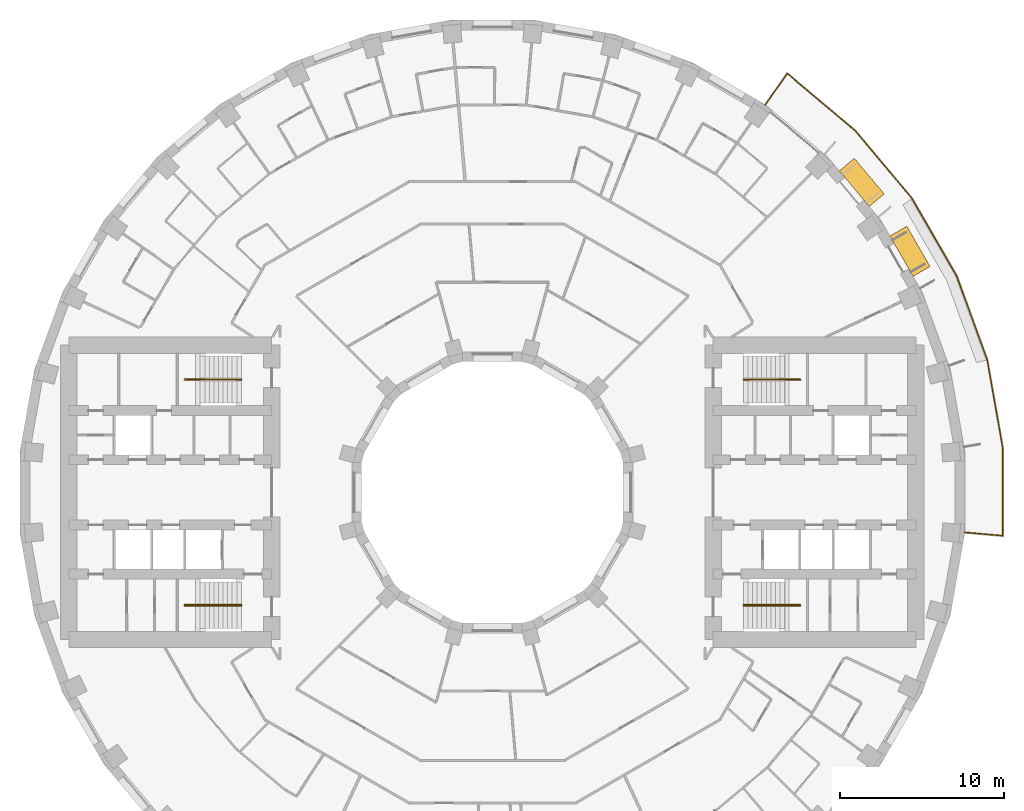
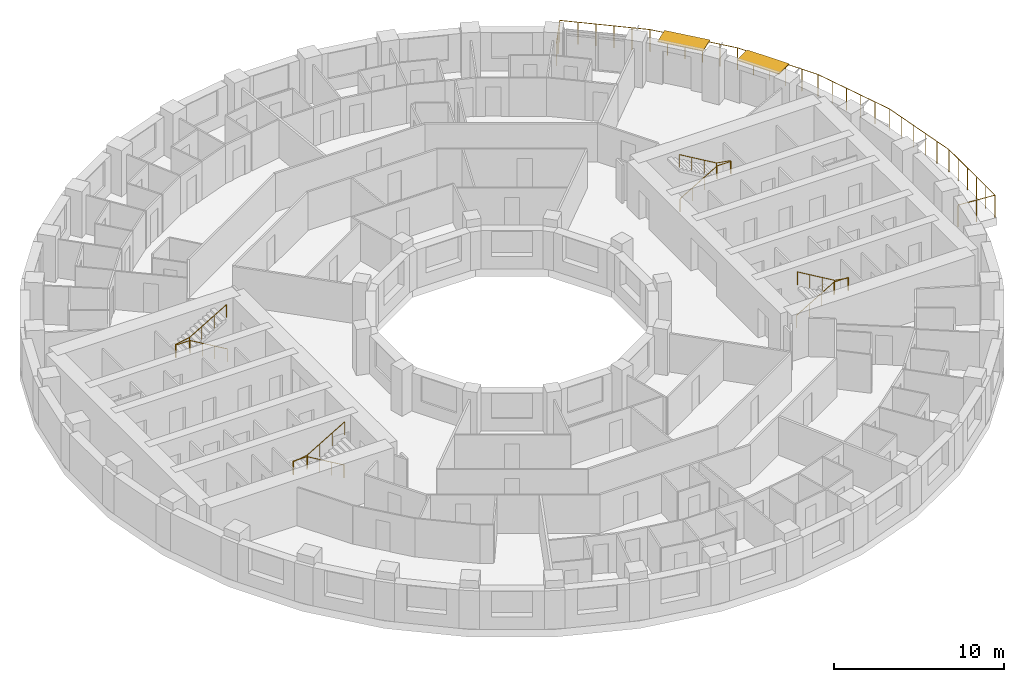
# One storey, part 15 of 15: 5 railings, 2 shading devices.
"""IFC4 building model written with IfcOpenShell, lengths in metres."""

from ifc_helpers import new_model, si_unit, direction, frame, origin, origin_2d, place, context, subcontext, project, spatial, rectangle, circle, extrude, material, layer, layer_set, type_object, element, save


model = new_model("IFC4")

# Units and contexts
model_context = context("Model", 3, precision=1e-05, world=origin(), true_north=direction((0.0, 1.0)))
body_context = subcontext(model_context, "Body", "Model", "MODEL_VIEW")
ifc_project = project(units=[si_unit("LENGTHUNIT", "METRE"), si_unit("AREAUNIT", "SQUARE_METRE"), si_unit("VOLUMEUNIT", "CUBIC_METRE"), si_unit("PLANEANGLEUNIT", "RADIAN"), si_unit("MASSUNIT", "GRAM", prefix="KILO")], contexts=[model_context])

# Site, building, storey
site_placement = place(None, origin())
site = spatial("IfcSite", under=ifc_project, at=site_placement, CompositionType="ELEMENT")
building_placement = place(site_placement, origin())
building = spatial("IfcBuilding", under=site, at=building_placement, Name="Saqina Gate Tower", CompositionType="ELEMENT")
storey_placement = place(building_placement, frame((0.0, 0.0, 59.300048828125)))
storey = spatial("IfcBuildingStorey", under=building, at=storey_placement, Name="L16", CompositionType="ELEMENT", Elevation=59.300048828125)

# Shading devices
ifc_material_1 = material(Name="Aluminium and fabric awning", Category="aluminium")
ifc_layer = layer(ifc_material_1, 0.050048828125)
ifc_layer_set = layer_set([ifc_layer], Name="AW-TERRACE")
shading_device_type = type_object("IfcShadingDeviceType", Name="AW-TERRACE", PredefinedType="AWNING", material=ifc_layer_set)
for number, where, z_axis, x_axis, name in (
    (1, (25.538818359375, 14.744873046875, 2.52490234375), (0.0, 0.0, 1.0), (-0.5, 0.866025403784, 0.0), "Terrace awning L16 facet 3"),
    (2, (22.59033203125, 18.95556640625, 2.52490234375), (0.0, 0.0, 1.0), (-0.642787609687, 0.766044443119, 0.0), "Terrace awning L16 facet 4"),
):
    element("IfcShadingDevice", number, at=place(storey_placement, frame(where, z_axis=z_axis, x_axis=x_axis)), inside=storey, type_object=shading_device_type, Name=name, PredefinedType="AWNING", context=body_context, shape_type="SweptSolid", body=[
        extrude(rectangle(XDim=2.845703125, YDim=1.199951171875, at=origin_2d()), origin(), (0.0, 0.0, 1.0), 0.050048828125),
    ])

# Railings
ifc_material_2 = material(Name="Stainless steel", Category="steel")
railing_type_1 = type_object("IfcRailingType", Name="RL-TERRACE", PredefinedType="GUARDRAIL", material=ifc_material_2)
railing_1_placement = place(storey_placement, frame((28.8369140625, -2.442626953125, 0.0)))
element("IfcRailing", 3, at=railing_1_placement, inside=storey, type_object=railing_type_1, Name="Terrace guard L16", PredefinedType="GUARDRAIL", context=body_context, shape_type="SweptSolid", body=[
    extrude(circle(Radius=0.02392578125, at=origin_2d()), frame((0.0, 0.0, 1.576171875), z_axis=(0.996192497087, -0.087180896688, 0.0), x_axis=(0.087180896688, 0.996192497087, 0.0)), (0.0, 0.0, 1.0), 2.388671875),
    extrude(circle(Radius=0.02392578125, at=origin_2d()), frame((2.379638671875, -0.208251953125, 1.576171875), z_axis=(-0.001270301126, 0.999999193167, 0.0), x_axis=(-0.999999193167, -0.001270301126, 0.0)), (0.0, 0.0, 1.0), 5.38134765625),
    extrude(circle(Radius=0.02392578125, at=origin_2d()), frame((2.372802734375, 5.173095703125, 1.576171875), z_axis=(-0.17364250929, 0.984808752483, 0.0), x_axis=(-0.984808752483, -0.17364250929, 0.0)), (0.0, 0.0, 1.0), 5.4609375),
    extrude(circle(Radius=0.02392578125, at=origin_2d()), frame((1.424560546875, 10.551025390625, 1.576171875), z_axis=(-0.342048157644, 0.939682423935, 0.0), x_axis=(-0.939682423935, -0.342048157644, 0.0)), (0.0, 0.0, 1.0), 5.4609375),
    extrude(circle(Radius=0.02392578125, at=origin_2d()), frame((-0.443359375, 15.6826171875, 1.576171875), z_axis=(-0.499985602051, 0.866033716285, 0.0), x_axis=(-0.866033716285, -0.499985602051, 0.0)), (0.0, 0.0, 1.0), 5.461181640625),
    extrude(circle(Radius=0.02392578125, at=origin_2d()), frame((-3.173828125, 20.412109375, 1.576171875), z_axis=(-0.642788339532, 0.766043830705, 0.0), x_axis=(-0.766043830705, -0.642788339532, 0.0)), (0.0, 0.0, 1.0), 5.4609375),
    extrude(circle(Radius=0.02392578125, at=origin_2d()), frame((-6.68408203125, 24.595458984375, 1.576171875), z_axis=(-0.76521934714, 0.643769641069, 0.0), x_axis=(-0.643769641069, -0.76521934714, 0.0)), (0.0, 0.0, 1.0), 5.38134765625),
    extrude(circle(Radius=0.02392578125, at=origin_2d()), frame((-10.802001953125, 28.059814453125, 1.576171875), z_axis=(-0.573565229124, -0.819159891559, 0.0), x_axis=(0.819159891559, -0.573565229124, 0.0)), (0.0, 0.0, 1.0), 2.388671875),
    extrude(circle(Radius=0.02099609375, at=origin_2d()), origin(), (0.0, 0.0, 1.0), 1.552001953125),
    extrude(circle(Radius=0.02099609375, at=origin_2d()), frame((1.18994140625, -0.10400390625, 0.0)), (0.0, 0.0, 1.0), 1.552001953125),
    extrude(circle(Radius=0.02099609375, at=origin_2d()), frame((2.379638671875, -0.208251953125, 0.0)), (0.0, 0.0, 1.0), 1.552001953125),
    extrude(circle(Radius=0.02099609375, at=origin_2d()), frame((2.378173828125, 0.867919921875, 0.0)), (0.0, 0.0, 1.0), 1.552001953125),
    extrude(circle(Radius=0.02099609375, at=origin_2d()), frame((2.376953125, 1.9443359375, 0.0)), (0.0, 0.0, 1.0), 1.552001953125),
    extrude(circle(Radius=0.02099609375, at=origin_2d()), frame((2.37548828125, 3.0205078125, 0.0)), (0.0, 0.0, 1.0), 1.552001953125),
    extrude(circle(Radius=0.02099609375, at=origin_2d()), frame((2.374267578125, 4.096923828125, 0.0)), (0.0, 0.0, 1.0), 1.552001953125),
    extrude(circle(Radius=0.02099609375, at=origin_2d()), frame((2.372802734375, 5.173095703125, 0.0)), (0.0, 0.0, 1.0), 1.552001953125),
    extrude(circle(Radius=0.02099609375, at=origin_2d()), frame((2.18310546875, 6.248779296875, 0.0)), (0.0, 0.0, 1.0), 1.552001953125),
    extrude(circle(Radius=0.02099609375, at=origin_2d()), frame((1.993408203125, 7.32421875, 0.0)), (0.0, 0.0, 1.0), 1.552001953125),
    extrude(circle(Radius=0.02099609375, at=origin_2d()), frame((1.803955078125, 8.39990234375, 0.0)), (0.0, 0.0, 1.0), 1.552001953125),
    extrude(circle(Radius=0.02099609375, at=origin_2d()), frame((1.6142578125, 9.475341796875, 0.0)), (0.0, 0.0, 1.0), 1.552001953125),
    extrude(circle(Radius=0.02099609375, at=origin_2d()), frame((1.424560546875, 10.551025390625, 0.0)), (0.0, 0.0, 1.0), 1.552001953125),
    extrude(circle(Radius=0.02099609375, at=origin_2d()), frame((1.051025390625, 11.577392578125, 0.0)), (0.0, 0.0, 1.0), 1.552001953125),
    extrude(circle(Radius=0.02099609375, at=origin_2d()), frame((0.677490234375, 12.603759765625, 0.0)), (0.0, 0.0, 1.0), 1.552001953125),
    extrude(circle(Radius=0.02099609375, at=origin_2d()), frame((0.3037109375, 13.6298828125, 0.0)), (0.0, 0.0, 1.0), 1.552001953125),
    extrude(circle(Radius=0.02099609375, at=origin_2d()), frame((-0.06982421875, 14.65625, 0.0)), (0.0, 0.0, 1.0), 1.552001953125),
    extrude(circle(Radius=0.02099609375, at=origin_2d()), frame((-0.443359375, 15.6826171875, 0.0)), (0.0, 0.0, 1.0), 1.552001953125),
    extrude(circle(Radius=0.02099609375, at=origin_2d()), frame((-0.989501953125, 16.62841796875, 0.0)), (0.0, 0.0, 1.0), 1.552001953125),
    extrude(circle(Radius=0.02099609375, at=origin_2d()), frame((-1.53564453125, 17.574462890625, 0.0)), (0.0, 0.0, 1.0), 1.552001953125),
    extrude(circle(Radius=0.02099609375, at=origin_2d()), frame((-2.08154296875, 18.520263671875, 0.0)), (0.0, 0.0, 1.0), 1.552001953125),
    extrude(circle(Radius=0.02099609375, at=origin_2d()), frame((-2.627685546875, 19.46630859375, 0.0)), (0.0, 0.0, 1.0), 1.552001953125),
    extrude(circle(Radius=0.02099609375, at=origin_2d()), frame((-3.173828125, 20.412109375, 0.0)), (0.0, 0.0, 1.0), 1.552001953125),
    extrude(circle(Radius=0.02099609375, at=origin_2d()), frame((-3.8759765625, 21.248779296875, 0.0)), (0.0, 0.0, 1.0), 1.552001953125),
    extrude(circle(Radius=0.02099609375, at=origin_2d()), frame((-4.577880859375, 22.08544921875, 0.0)), (0.0, 0.0, 1.0), 1.552001953125),
    extrude(circle(Radius=0.02099609375, at=origin_2d()), frame((-5.280029296875, 22.922119140625, 0.0)), (0.0, 0.0, 1.0), 1.552001953125),
    extrude(circle(Radius=0.02099609375, at=origin_2d()), frame((-5.98193359375, 23.7587890625, 0.0)), (0.0, 0.0, 1.0), 1.552001953125),
    extrude(circle(Radius=0.02099609375, at=origin_2d()), frame((-6.68408203125, 24.595458984375, 0.0)), (0.0, 0.0, 1.0), 1.552001953125),
    extrude(circle(Radius=0.02099609375, at=origin_2d()), frame((-7.507568359375, 25.288330078125, 0.0)), (0.0, 0.0, 1.0), 1.552001953125),
    extrude(circle(Radius=0.02099609375, at=origin_2d()), frame((-8.331298828125, 25.981201171875, 0.0)), (0.0, 0.0, 1.0), 1.552001953125),
    extrude(circle(Radius=0.02099609375, at=origin_2d()), frame((-9.15478515625, 26.674072265625, 0.0)), (0.0, 0.0, 1.0), 1.552001953125),
    extrude(circle(Radius=0.02099609375, at=origin_2d()), frame((-9.978515625, 27.366943359375, 0.0)), (0.0, 0.0, 1.0), 1.552001953125),
    extrude(circle(Radius=0.02099609375, at=origin_2d()), frame((-10.802001953125, 28.059814453125, 0.0)), (0.0, 0.0, 1.0), 1.552001953125),
    extrude(circle(Radius=0.02099609375, at=origin_2d()), frame((-11.487060546875, 27.08154296875, 0.0)), (0.0, 0.0, 1.0), 1.552001953125),
    extrude(circle(Radius=0.02099609375, at=origin_2d()), frame((-12.172119140625, 26.10302734375, 0.0)), (0.0, 0.0, 1.0), 1.552001953125),
])
ifc_material_3 = material(Name="Stainless steel", Category="steel")
railing_type_2 = type_object("IfcRailingType", Name="STAIR HANDRAIL", PredefinedType="HANDRAIL", material=ifc_material_3)
railing_2_placement = place(storey_placement, frame((15.35009765625, 6.86669921875, 0.1650390625)))
element("IfcRailing", 4, at=railing_2_placement, inside=storey, type_object=railing_type_2, Name="EXIT STAIR 1 HANDRAIL", PredefinedType="HANDRAIL", context=body_context, shape_type="SweptSolid", body=[
    extrude(circle(Radius=0.02392578125, at=origin_2d()), frame((0.0, 0.0, 0.92578125), z_axis=(0.861560626758, 0.0, 0.507654692109), x_axis=(0.0, 1.0, 0.0)), (0.0, 0.0, 1.0), 2.925048828125),
    extrude(circle(Radius=0.02392578125, at=origin_2d()), frame((2.52001953125, 0.0, 2.41064453125), z_axis=(1.0, 0.0, 0.0), x_axis=(0.0, 1.0, 0.0)), (0.0, 0.0, 1.0), 0.949951171875),
    extrude(circle(Radius=0.02392578125, at=origin_2d()), frame((3.469970703125, 0.0, 2.41064453125), z_axis=(0.0, 1.0, 0.0), x_axis=(-1.0, 0.0, 0.0)), (0.0, 0.0, 1.0), 0.066650390625),
    extrude(circle(Radius=0.02392578125, at=origin_2d()), frame((3.469970703125, 0.066650390625, 2.41064453125), z_axis=(-0.985241474778, 0.0, 0.171170197109), x_axis=(0.0, -1.0, 0.0)), (0.0, 0.0, 1.0), 0.964111328125),
    extrude(circle(Radius=0.02392578125, at=origin_2d()), frame((2.52001953125, 0.066650390625, 2.57568359375), z_axis=(-0.86152411907, 0.0, 0.507716645641), x_axis=(0.0, -1.0, 0.0)), (0.0, 0.0, 1.0), 2.925048828125),
    extrude(circle(Radius=0.02099609375, at=origin_2d()), origin(), (0.0, 0.0, 1.0), 0.90185546875),
    extrude(circle(Radius=0.02099609375, at=origin_2d()), frame((0.840087890625, 0.0, 0.494873046875)), (0.0, 0.0, 1.0), 0.90185546875),
    extrude(circle(Radius=0.02099609375, at=origin_2d()), frame((1.679931640625, 0.0, 0.989990234375)), (0.0, 0.0, 1.0), 0.90185546875),
    extrude(circle(Radius=0.02099609375, at=origin_2d()), frame((2.52001953125, 0.0, 1.48486328125)), (0.0, 0.0, 1.0), 0.90185546875),
    extrude(circle(Radius=0.02099609375, at=origin_2d()), frame((3.469970703125, 0.0, 1.48486328125)), (0.0, 0.0, 1.0), 0.90185546875),
    extrude(circle(Radius=0.02099609375, at=origin_2d()), frame((3.469970703125, 0.066650390625, 1.48486328125)), (0.0, 0.0, 1.0), 0.90185546875),
    extrude(circle(Radius=0.02099609375, at=origin_2d()), frame((2.52001953125, 0.066650390625, 1.64990234375)), (0.0, 0.0, 1.0), 0.90185546875),
    extrude(circle(Radius=0.02099609375, at=origin_2d()), frame((1.679931640625, 0.066650390625, 2.14501953125)), (0.0, 0.0, 1.0), 0.90185546875),
    extrude(circle(Radius=0.02099609375, at=origin_2d()), frame((0.840087890625, 0.066650390625, 2.639892578125)), (0.0, 0.0, 1.0), 0.90185546875),
    extrude(circle(Radius=0.02099609375, at=origin_2d()), frame((0.0, 0.066650390625, 3.135009765625)), (0.0, 0.0, 1.0), 0.90185546875),
])
railing_3_placement = place(storey_placement, frame((15.35009765625, -6.86669921875, 0.1650390625)))
element("IfcRailing", 5, at=railing_3_placement, inside=storey, type_object=railing_type_2, Name="EXIT STAIR 2 HANDRAIL", PredefinedType="HANDRAIL", context=body_context, shape_type="SweptSolid", body=[
    extrude(circle(Radius=0.02392578125, at=origin_2d()), frame((0.0, 0.0, 0.92578125), z_axis=(0.861560626758, 0.0, 0.507654692109), x_axis=(0.0, 1.0, 0.0)), (0.0, 0.0, 1.0), 2.925048828125),
    extrude(circle(Radius=0.02392578125, at=origin_2d()), frame((2.52001953125, 0.0, 2.41064453125), z_axis=(1.0, 0.0, 0.0), x_axis=(0.0, 1.0, 0.0)), (0.0, 0.0, 1.0), 0.949951171875),
    extrude(circle(Radius=0.02392578125, at=origin_2d()), frame((3.469970703125, 0.0, 2.41064453125), z_axis=(0.0, -1.0, 0.0), x_axis=(1.0, 0.0, 0.0)), (0.0, 0.0, 1.0), 0.066650390625),
    extrude(circle(Radius=0.02392578125, at=origin_2d()), frame((3.469970703125, -0.066650390625, 2.41064453125), z_axis=(-0.985241474778, 0.0, 0.171170197109), x_axis=(0.0, -1.0, 0.0)), (0.0, 0.0, 1.0), 0.964111328125),
    extrude(circle(Radius=0.02392578125, at=origin_2d()), frame((2.52001953125, -0.066650390625, 2.57568359375), z_axis=(-0.86152411907, 0.0, 0.507716645641), x_axis=(0.0, -1.0, 0.0)), (0.0, 0.0, 1.0), 2.925048828125),
    extrude(circle(Radius=0.02099609375, at=origin_2d()), origin(), (0.0, 0.0, 1.0), 0.90185546875),
    extrude(circle(Radius=0.02099609375, at=origin_2d()), frame((0.840087890625, 0.0, 0.494873046875)), (0.0, 0.0, 1.0), 0.90185546875),
    extrude(circle(Radius=0.02099609375, at=origin_2d()), frame((1.679931640625, 0.0, 0.989990234375)), (0.0, 0.0, 1.0), 0.90185546875),
    extrude(circle(Radius=0.02099609375, at=origin_2d()), frame((2.52001953125, 0.0, 1.48486328125)), (0.0, 0.0, 1.0), 0.90185546875),
    extrude(circle(Radius=0.02099609375, at=origin_2d()), frame((3.469970703125, 0.0, 1.48486328125)), (0.0, 0.0, 1.0), 0.90185546875),
    extrude(circle(Radius=0.02099609375, at=origin_2d()), frame((3.469970703125, -0.066650390625, 1.48486328125)), (0.0, 0.0, 1.0), 0.90185546875),
    extrude(circle(Radius=0.02099609375, at=origin_2d()), frame((2.52001953125, -0.066650390625, 1.64990234375)), (0.0, 0.0, 1.0), 0.90185546875),
    extrude(circle(Radius=0.02099609375, at=origin_2d()), frame((1.679931640625, -0.066650390625, 2.14501953125)), (0.0, 0.0, 1.0), 0.90185546875),
    extrude(circle(Radius=0.02099609375, at=origin_2d()), frame((0.840087890625, -0.066650390625, 2.639892578125)), (0.0, 0.0, 1.0), 0.90185546875),
    extrude(circle(Radius=0.02099609375, at=origin_2d()), frame((0.0, -0.066650390625, 3.135009765625)), (0.0, 0.0, 1.0), 0.90185546875),
])
railing_4_placement = place(storey_placement, frame((-15.35009765625, 6.86669921875, 0.1650390625)))
element("IfcRailing", 6, at=railing_4_placement, inside=storey, type_object=railing_type_2, Name="EXIT STAIR 3 HANDRAIL", PredefinedType="HANDRAIL", context=body_context, shape_type="SweptSolid", body=[
    extrude(circle(Radius=0.02392578125, at=origin_2d()), frame((0.0, 0.0, 0.92578125), z_axis=(-0.861560626758, 0.0, 0.507654692109), x_axis=(0.0, -1.0, 0.0)), (0.0, 0.0, 1.0), 2.925048828125),
    extrude(circle(Radius=0.02392578125, at=origin_2d()), frame((-2.52001953125, 0.0, 2.41064453125), z_axis=(-1.0, 0.0, 0.0), x_axis=(0.0, -1.0, 0.0)), (0.0, 0.0, 1.0), 0.949951171875),
    extrude(circle(Radius=0.02392578125, at=origin_2d()), frame((-3.469970703125, 0.0, 2.41064453125), z_axis=(0.0, 1.0, 0.0), x_axis=(-1.0, 0.0, 0.0)), (0.0, 0.0, 1.0), 0.066650390625),
    extrude(circle(Radius=0.02392578125, at=origin_2d()), frame((-3.469970703125, 0.066650390625, 2.41064453125), z_axis=(0.985241474778, 0.0, 0.171170197109), x_axis=(0.0, 1.0, 0.0)), (0.0, 0.0, 1.0), 0.964111328125),
    extrude(circle(Radius=0.02392578125, at=origin_2d()), frame((-2.52001953125, 0.066650390625, 2.57568359375), z_axis=(0.86152411907, 0.0, 0.507716645641), x_axis=(0.0, 1.0, 0.0)), (0.0, 0.0, 1.0), 2.925048828125),
    extrude(circle(Radius=0.02099609375, at=origin_2d()), origin(), (0.0, 0.0, 1.0), 0.90185546875),
    extrude(circle(Radius=0.02099609375, at=origin_2d()), frame((-0.840087890625, 0.0, 0.494873046875)), (0.0, 0.0, 1.0), 0.90185546875),
    extrude(circle(Radius=0.02099609375, at=origin_2d()), frame((-1.679931640625, 0.0, 0.989990234375)), (0.0, 0.0, 1.0), 0.90185546875),
    extrude(circle(Radius=0.02099609375, at=origin_2d()), frame((-2.52001953125, 0.0, 1.48486328125)), (0.0, 0.0, 1.0), 0.90185546875),
    extrude(circle(Radius=0.02099609375, at=origin_2d()), frame((-3.469970703125, 0.0, 1.48486328125)), (0.0, 0.0, 1.0), 0.90185546875),
    extrude(circle(Radius=0.02099609375, at=origin_2d()), frame((-3.469970703125, 0.066650390625, 1.48486328125)), (0.0, 0.0, 1.0), 0.90185546875),
    extrude(circle(Radius=0.02099609375, at=origin_2d()), frame((-2.52001953125, 0.066650390625, 1.64990234375)), (0.0, 0.0, 1.0), 0.90185546875),
    extrude(circle(Radius=0.02099609375, at=origin_2d()), frame((-1.679931640625, 0.066650390625, 2.14501953125)), (0.0, 0.0, 1.0), 0.90185546875),
    extrude(circle(Radius=0.02099609375, at=origin_2d()), frame((-0.840087890625, 0.066650390625, 2.639892578125)), (0.0, 0.0, 1.0), 0.90185546875),
    extrude(circle(Radius=0.02099609375, at=origin_2d()), frame((0.0, 0.066650390625, 3.135009765625)), (0.0, 0.0, 1.0), 0.90185546875),
])
railing_5_placement = place(storey_placement, frame((-15.35009765625, -6.86669921875, 0.1650390625)))
element("IfcRailing", 7, at=railing_5_placement, inside=storey, type_object=railing_type_2, Name="EXIT STAIR 4 HANDRAIL", PredefinedType="HANDRAIL", context=body_context, shape_type="SweptSolid", body=[
    extrude(circle(Radius=0.02392578125, at=origin_2d()), frame((0.0, 0.0, 0.92578125), z_axis=(-0.861560626758, 0.0, 0.507654692109), x_axis=(0.0, -1.0, 0.0)), (0.0, 0.0, 1.0), 2.925048828125),
    extrude(circle(Radius=0.02392578125, at=origin_2d()), frame((-2.52001953125, 0.0, 2.41064453125), z_axis=(-1.0, 0.0, 0.0), x_axis=(0.0, -1.0, 0.0)), (0.0, 0.0, 1.0), 0.949951171875),
    extrude(circle(Radius=0.02392578125, at=origin_2d()), frame((-3.469970703125, 0.0, 2.41064453125), z_axis=(0.0, -1.0, 0.0), x_axis=(1.0, 0.0, 0.0)), (0.0, 0.0, 1.0), 0.066650390625),
    extrude(circle(Radius=0.02392578125, at=origin_2d()), frame((-3.469970703125, -0.066650390625, 2.41064453125), z_axis=(0.985241474778, 0.0, 0.171170197109), x_axis=(0.0, 1.0, 0.0)), (0.0, 0.0, 1.0), 0.964111328125),
    extrude(circle(Radius=0.02392578125, at=origin_2d()), frame((-2.52001953125, -0.066650390625, 2.57568359375), z_axis=(0.86152411907, 0.0, 0.507716645641), x_axis=(0.0, 1.0, 0.0)), (0.0, 0.0, 1.0), 2.925048828125),
    extrude(circle(Radius=0.02099609375, at=origin_2d()), origin(), (0.0, 0.0, 1.0), 0.90185546875),
    extrude(circle(Radius=0.02099609375, at=origin_2d()), frame((-0.840087890625, 0.0, 0.494873046875)), (0.0, 0.0, 1.0), 0.90185546875),
    extrude(circle(Radius=0.02099609375, at=origin_2d()), frame((-1.679931640625, 0.0, 0.989990234375)), (0.0, 0.0, 1.0), 0.90185546875),
    extrude(circle(Radius=0.02099609375, at=origin_2d()), frame((-2.52001953125, 0.0, 1.48486328125)), (0.0, 0.0, 1.0), 0.90185546875),
    extrude(circle(Radius=0.02099609375, at=origin_2d()), frame((-3.469970703125, 0.0, 1.48486328125)), (0.0, 0.0, 1.0), 0.90185546875),
    extrude(circle(Radius=0.02099609375, at=origin_2d()), frame((-3.469970703125, -0.066650390625, 1.48486328125)), (0.0, 0.0, 1.0), 0.90185546875),
    extrude(circle(Radius=0.02099609375, at=origin_2d()), frame((-2.52001953125, -0.066650390625, 1.64990234375)), (0.0, 0.0, 1.0), 0.90185546875),
    extrude(circle(Radius=0.02099609375, at=origin_2d()), frame((-1.679931640625, -0.066650390625, 2.14501953125)), (0.0, 0.0, 1.0), 0.90185546875),
    extrude(circle(Radius=0.02099609375, at=origin_2d()), frame((-0.840087890625, -0.066650390625, 2.639892578125)), (0.0, 0.0, 1.0), 0.90185546875),
    extrude(circle(Radius=0.02099609375, at=origin_2d()), frame((0.0, -0.066650390625, 3.135009765625)), (0.0, 0.0, 1.0), 0.90185546875),
])

save(model, "model.ifc")
